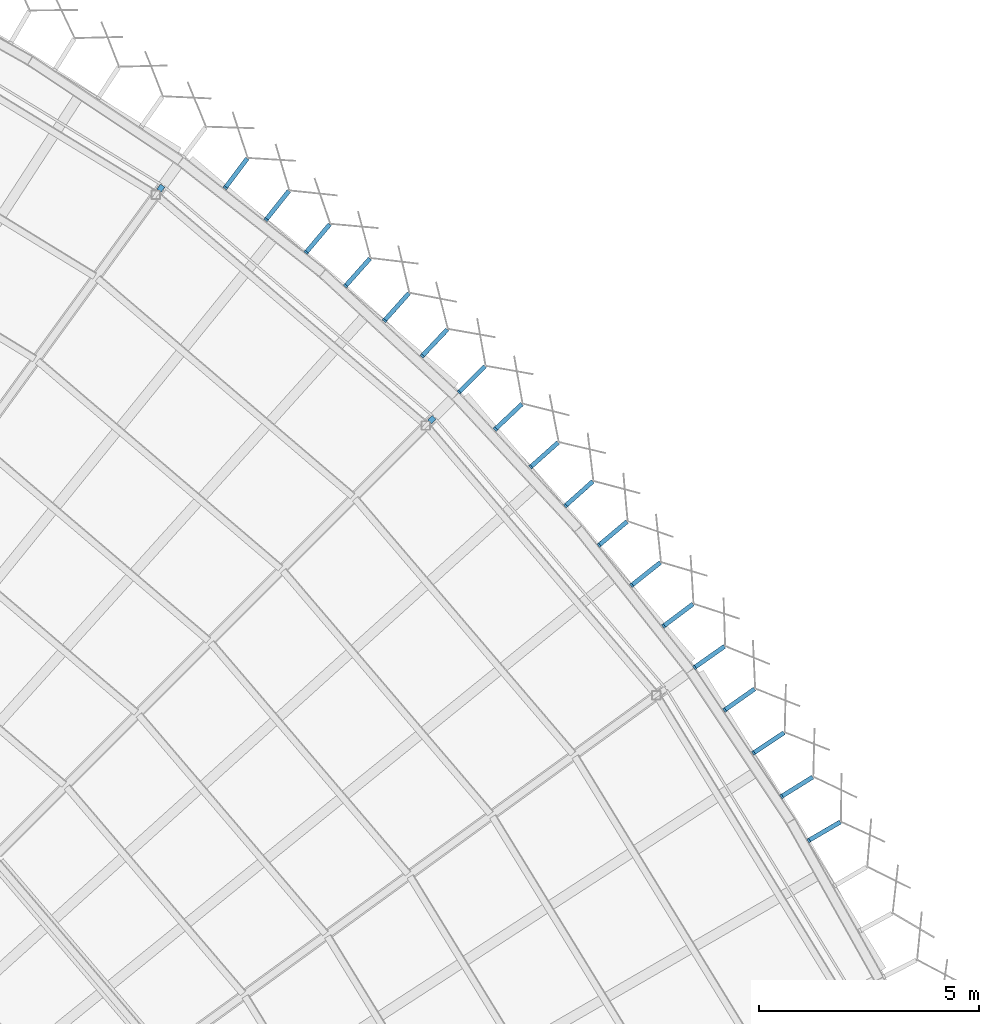
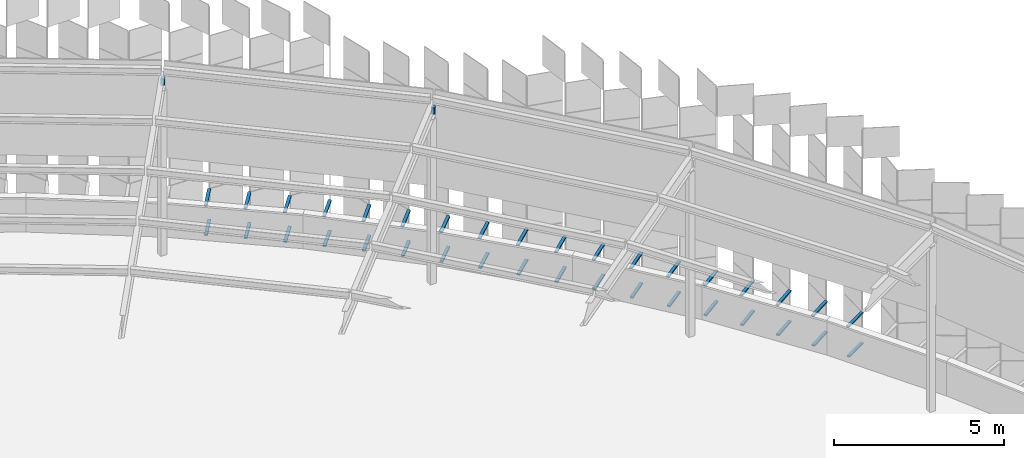
# One storey, part 451 of 483: 38 discrete accessories.
"""IFC4 building model written with IfcOpenShell, lengths in metres."""

from ifc_helpers import new_model, si_unit, direction, frame, origin, origin_2d, place, context, subcontext, project, spatial, rectangle, extrude, material, type_object, element, save


model = new_model("IFC4")

# Units and contexts
model_context = context("Model", 3, precision=1e-05, world=origin(), true_north=direction((0.0, 1.0)))
body_context = subcontext(model_context, "Body", "Model", "MODEL_VIEW")
ifc_project = project(units=[si_unit("LENGTHUNIT", "METRE"), si_unit("AREAUNIT", "SQUARE_METRE"), si_unit("VOLUMEUNIT", "CUBIC_METRE"), si_unit("PLANEANGLEUNIT", "RADIAN"), si_unit("MASSUNIT", "GRAM", prefix="KILO")], contexts=[model_context])

# Site, building, storey
site_placement = place(None, origin())
site = spatial("IfcSite", under=ifc_project, at=site_placement, CompositionType="ELEMENT")
building_placement = place(site_placement, origin())
building = spatial("IfcBuilding", under=site, at=building_placement, Name="Parallax Yard Mobility Hub", CompositionType="ELEMENT")
storey_placement = place(building_placement, frame((0.0, 0.0, 13.199951171875)))
storey = spatial("IfcBuildingStorey", under=building, at=storey_placement, Name="L04", CompositionType="ELEMENT", Elevation=13.199951171875)

# Discrete accessories
ifc_material = material(Name="Steel ASTM A36, hot-dip galvanised", Category="steel")
discrete_accessory_type_1 = type_object("IfcDiscreteAccessoryType", Name="Hinge bracket plate 100x50", PredefinedType="BRACKET", material=ifc_material)
discrete_accessory_1_placement = place(storey_placement, frame((217.913330078125, 117.1318359375, -0.02490234375), z_axis=(0.0, 0.0, 1.0), x_axis=(0.863635847332, 0.504116180263, 0.0)))
element("IfcDiscreteAccessory", 1, at=discrete_accessory_1_placement, inside=storey, type_object=discrete_accessory_type_1, Name="Hinge bracket plate bay 44.4 level L04", PredefinedType="BRACKET", context=body_context, shape_type="SweptSolid", body=[
    extrude(rectangle(XDim=0.80810546875, YDim=0.10009765625, at=origin_2d()), origin(), (0.0, 0.0, 1.0), 0.050048828125),
])
discrete_accessory_2_placement = place(storey_placement, frame((217.893310546875, 117.120361328125, 1.06982421875), z_axis=(0.0, 0.0, 1.0), x_axis=(0.863635847332, 0.504116180263, 0.0)))
element("IfcDiscreteAccessory", 2, at=discrete_accessory_2_placement, inside=storey, type_object=discrete_accessory_type_1, Name="Hinge bracket plate bay 44.4 level L04", PredefinedType="BRACKET", context=body_context, shape_type="SweptSolid", body=[
    extrude(rectangle(XDim=0.85400390625, YDim=0.10009765625, at=origin_2d()), origin(), (0.0, 0.0, 1.0), 0.050048828125),
])
discrete_accessory_3_placement = place(storey_placement, frame((217.290771484375, 118.143310546875, -0.02490234375), z_axis=(0.0, 0.0, 1.0), x_axis=(0.848887747723, 0.528573165953, 0.0)))
element("IfcDiscreteAccessory", 3, at=discrete_accessory_3_placement, inside=storey, type_object=discrete_accessory_type_1, Name="Hinge bracket plate bay 44.5 level L04", PredefinedType="BRACKET", context=body_context, shape_type="SweptSolid", body=[
    extrude(rectangle(XDim=0.80810546875, YDim=0.10009765625, at=origin_2d()), origin(), (0.0, 0.0, 1.0), 0.050048828125),
])
discrete_accessory_4_placement = place(storey_placement, frame((217.271240234375, 118.131103515625, 1.06982421875), z_axis=(0.0, 0.0, 1.0), x_axis=(0.848887747723, 0.528573165953, 0.0)))
element("IfcDiscreteAccessory", 4, at=discrete_accessory_4_placement, inside=storey, type_object=discrete_accessory_type_1, Name="Hinge bracket plate bay 44.5 level L04", PredefinedType="BRACKET", context=body_context, shape_type="SweptSolid", body=[
    extrude(rectangle(XDim=0.85400390625, YDim=0.10009765625, at=origin_2d()), origin(), (0.0, 0.0, 1.0), 0.050048828125),
])
discrete_accessory_5_placement = place(storey_placement, frame((216.6474609375, 119.1416015625, -0.02490234375), z_axis=(0.0, 0.0, 1.0), x_axis=(0.833447252321, 0.552599020627, 0.0)))
element("IfcDiscreteAccessory", 5, at=discrete_accessory_5_placement, inside=storey, type_object=discrete_accessory_type_1, Name="Hinge bracket plate bay 44.6 level L04", PredefinedType="BRACKET", context=body_context, shape_type="SweptSolid", body=[
    extrude(rectangle(XDim=0.80810546875, YDim=0.10009765625, at=origin_2d()), origin(), (0.0, 0.0, 1.0), 0.050048828125),
])
discrete_accessory_6_placement = place(storey_placement, frame((216.62841796875, 119.12890625, 1.06982421875), z_axis=(0.0, 0.0, 1.0), x_axis=(0.833447252321, 0.552599020627, 0.0)))
element("IfcDiscreteAccessory", 6, at=discrete_accessory_6_placement, inside=storey, type_object=discrete_accessory_type_1, Name="Hinge bracket plate bay 44.6 level L04", PredefinedType="BRACKET", context=body_context, shape_type="SweptSolid", body=[
    extrude(rectangle(XDim=0.85400390625, YDim=0.10009765625, at=origin_2d()), origin(), (0.0, 0.0, 1.0), 0.050048828125),
])
discrete_accessory_7_placement = place(storey_placement, frame((215.9833984375, 120.126220703125, -0.02490234375), z_axis=(0.0, 0.0, 1.0), x_axis=(0.817327960788, 0.576172721078, 0.0)))
element("IfcDiscreteAccessory", 7, at=discrete_accessory_7_placement, inside=storey, type_object=discrete_accessory_type_1, Name="Hinge bracket plate bay 44.7 level L04", PredefinedType="BRACKET", context=body_context, shape_type="SweptSolid", body=[
    extrude(rectangle(XDim=0.80810546875, YDim=0.10009765625, at=origin_2d()), origin(), (0.0, 0.0, 1.0), 0.050048828125),
])
discrete_accessory_8_placement = place(storey_placement, frame((215.964599609375, 120.11279296875, 1.06982421875), z_axis=(0.0, 0.0, 1.0), x_axis=(0.817327960788, 0.576172721078, 0.0)))
element("IfcDiscreteAccessory", 8, at=discrete_accessory_8_placement, inside=storey, type_object=discrete_accessory_type_1, Name="Hinge bracket plate bay 44.7 level L04", PredefinedType="BRACKET", context=body_context, shape_type="SweptSolid", body=[
    extrude(rectangle(XDim=0.85400390625, YDim=0.10009765625, at=origin_2d()), origin(), (0.0, 0.0, 1.0), 0.050048828125),
])
discrete_accessory_9_placement = place(storey_placement, frame((215.30078125, 121.094482421875, -0.02490234375), z_axis=(0.0, 0.0, 1.0), x_axis=(0.817327960788, 0.576172721078, 0.0)))
element("IfcDiscreteAccessory", 9, at=discrete_accessory_9_placement, inside=storey, type_object=discrete_accessory_type_1, Name="Hinge bracket plate bay 45.1 level L04", PredefinedType="BRACKET", context=body_context, shape_type="SweptSolid", body=[
    extrude(rectangle(XDim=0.80810546875, YDim=0.10009765625, at=origin_2d()), origin(), (0.0, 0.0, 1.0), 0.050048828125),
])
discrete_accessory_10_placement = place(storey_placement, frame((215.281982421875, 121.081298828125, 1.06982421875), z_axis=(0.0, 0.0, 1.0), x_axis=(0.817327960788, 0.576172721078, 0.0)))
element("IfcDiscreteAccessory", 10, at=discrete_accessory_10_placement, inside=storey, type_object=discrete_accessory_type_1, Name="Hinge bracket plate bay 45.1 level L04", PredefinedType="BRACKET", context=body_context, shape_type="SweptSolid", body=[
    extrude(rectangle(XDim=0.85400390625, YDim=0.10009765625, at=origin_2d()), origin(), (0.0, 0.0, 1.0), 0.050048828125),
])
discrete_accessory_11_placement = place(storey_placement, frame((214.589111328125, 122.04541015625, -0.02490234375), z_axis=(0.0, 0.0, 1.0), x_axis=(0.800541050754, 0.599277920549, 0.0)))
element("IfcDiscreteAccessory", 11, at=discrete_accessory_11_placement, inside=storey, type_object=discrete_accessory_type_1, Name="Hinge bracket plate bay 45.2 level L04", PredefinedType="BRACKET", context=body_context, shape_type="SweptSolid", body=[
    extrude(rectangle(XDim=0.80810546875, YDim=0.10009765625, at=origin_2d()), origin(), (0.0, 0.0, 1.0), 0.050048828125),
])
discrete_accessory_12_placement = place(storey_placement, frame((214.57080078125, 122.031494140625, 1.06982421875), z_axis=(0.0, 0.0, 1.0), x_axis=(0.800541050754, 0.599277920549, 0.0)))
element("IfcDiscreteAccessory", 12, at=discrete_accessory_12_placement, inside=storey, type_object=discrete_accessory_type_1, Name="Hinge bracket plate bay 45.2 level L04", PredefinedType="BRACKET", context=body_context, shape_type="SweptSolid", body=[
    extrude(rectangle(XDim=0.85400390625, YDim=0.10009765625, at=origin_2d()), origin(), (0.0, 0.0, 1.0), 0.050048828125),
])
discrete_accessory_13_placement = place(storey_placement, frame((213.857666015625, 122.981201171875, -0.02490234375), z_axis=(0.0, 0.0, 1.0), x_axis=(0.783102264348, 0.62189295186, 0.0)))
element("IfcDiscreteAccessory", 13, at=discrete_accessory_13_placement, inside=storey, type_object=discrete_accessory_type_1, Name="Hinge bracket plate bay 45.3 level L04", PredefinedType="BRACKET", context=body_context, shape_type="SweptSolid", body=[
    extrude(rectangle(XDim=0.80810546875, YDim=0.10009765625, at=origin_2d()), origin(), (0.0, 0.0, 1.0), 0.050048828125),
])
discrete_accessory_14_placement = place(storey_placement, frame((213.839599609375, 122.966796875, 1.06982421875), z_axis=(0.0, 0.0, 1.0), x_axis=(0.783102264348, 0.62189295186, 0.0)))
element("IfcDiscreteAccessory", 14, at=discrete_accessory_14_placement, inside=storey, type_object=discrete_accessory_type_1, Name="Hinge bracket plate bay 45.3 level L04", PredefinedType="BRACKET", context=body_context, shape_type="SweptSolid", body=[
    extrude(rectangle(XDim=0.85400390625, YDim=0.10009765625, at=origin_2d()), origin(), (0.0, 0.0, 1.0), 0.050048828125),
])
discrete_accessory_15_placement = place(storey_placement, frame((213.107177734375, 123.901611328125, -0.02490234375), z_axis=(0.0, 0.0, 1.0), x_axis=(0.765023694181, 0.644002133025, 0.0)))
element("IfcDiscreteAccessory", 15, at=discrete_accessory_15_placement, inside=storey, type_object=discrete_accessory_type_1, Name="Hinge bracket plate bay 45.4 level L04", PredefinedType="BRACKET", context=body_context, shape_type="SweptSolid", body=[
    extrude(rectangle(XDim=0.80810546875, YDim=0.10009765625, at=origin_2d()), origin(), (0.0, 0.0, 1.0), 0.050048828125),
])
discrete_accessory_16_placement = place(storey_placement, frame((213.089599609375, 123.886962890625, 1.06982421875), z_axis=(0.0, 0.0, 1.0), x_axis=(0.765023694181, 0.644002133025, 0.0)))
element("IfcDiscreteAccessory", 16, at=discrete_accessory_16_placement, inside=storey, type_object=discrete_accessory_type_1, Name="Hinge bracket plate bay 45.4 level L04", PredefinedType="BRACKET", context=body_context, shape_type="SweptSolid", body=[
    extrude(rectangle(XDim=0.85400390625, YDim=0.10009765625, at=origin_2d()), origin(), (0.0, 0.0, 1.0), 0.050048828125),
])
discrete_accessory_17_placement = place(storey_placement, frame((212.33740234375, 124.806396484375, -0.02490234375), z_axis=(0.0, 0.0, 1.0), x_axis=(0.746321131986, 0.66558603347, 0.0)))
element("IfcDiscreteAccessory", 17, at=discrete_accessory_17_placement, inside=storey, type_object=discrete_accessory_type_1, Name="Hinge bracket plate bay 45.5 level L04", PredefinedType="BRACKET", context=body_context, shape_type="SweptSolid", body=[
    extrude(rectangle(XDim=0.80810546875, YDim=0.10009765625, at=origin_2d()), origin(), (0.0, 0.0, 1.0), 0.050048828125),
])
discrete_accessory_18_placement = place(storey_placement, frame((212.3203125, 124.791015625, 1.06982421875), z_axis=(0.0, 0.0, 1.0), x_axis=(0.746321131986, 0.66558603347, 0.0)))
element("IfcDiscreteAccessory", 18, at=discrete_accessory_18_placement, inside=storey, type_object=discrete_accessory_type_1, Name="Hinge bracket plate bay 45.5 level L04", PredefinedType="BRACKET", context=body_context, shape_type="SweptSolid", body=[
    extrude(rectangle(XDim=0.85400390625, YDim=0.10009765625, at=origin_2d()), origin(), (0.0, 0.0, 1.0), 0.050048828125),
])
discrete_accessory_19_placement = place(storey_placement, frame((211.548828125, 125.690673828125, -0.02490234375), z_axis=(0.0, 0.0, 1.0), x_axis=(0.746321131986, 0.66558603347, 0.0)))
element("IfcDiscreteAccessory", 19, at=discrete_accessory_19_placement, inside=storey, type_object=discrete_accessory_type_1, Name="Hinge bracket plate bay 45.6 level L04", PredefinedType="BRACKET", context=body_context, shape_type="SweptSolid", body=[
    extrude(rectangle(XDim=0.80810546875, YDim=0.10009765625, at=origin_2d()), origin(), (0.0, 0.0, 1.0), 0.050048828125),
])
discrete_accessory_20_placement = place(storey_placement, frame((211.531494140625, 125.67529296875, 1.06982421875), z_axis=(0.0, 0.0, 1.0), x_axis=(0.746321131986, 0.66558603347, 0.0)))
element("IfcDiscreteAccessory", 20, at=discrete_accessory_20_placement, inside=storey, type_object=discrete_accessory_type_1, Name="Hinge bracket plate bay 45.6 level L04", PredefinedType="BRACKET", context=body_context, shape_type="SweptSolid", body=[
    extrude(rectangle(XDim=0.85400390625, YDim=0.10009765625, at=origin_2d()), origin(), (0.0, 0.0, 1.0), 0.050048828125),
])
discrete_accessory_21_placement = place(storey_placement, frame((210.735595703125, 126.556396484375, -0.02490234375), z_axis=(0.0, 0.0, 1.0), x_axis=(0.727011030908, 0.686625779401, 0.0)))
element("IfcDiscreteAccessory", 21, at=discrete_accessory_21_placement, inside=storey, type_object=discrete_accessory_type_1, Name="Hinge bracket plate bay 45.7 level L04", PredefinedType="BRACKET", context=body_context, shape_type="SweptSolid", body=[
    extrude(rectangle(XDim=0.80810546875, YDim=0.10009765625, at=origin_2d()), origin(), (0.0, 0.0, 1.0), 0.050048828125),
])
discrete_accessory_22_placement = place(storey_placement, frame((210.71875, 126.54052734375, 1.06982421875), z_axis=(0.0, 0.0, 1.0), x_axis=(0.727011030908, 0.686625779401, 0.0)))
element("IfcDiscreteAccessory", 22, at=discrete_accessory_22_placement, inside=storey, type_object=discrete_accessory_type_1, Name="Hinge bracket plate bay 45.7 level L04", PredefinedType="BRACKET", context=body_context, shape_type="SweptSolid", body=[
    extrude(rectangle(XDim=0.85400390625, YDim=0.10009765625, at=origin_2d()), origin(), (0.0, 0.0, 1.0), 0.050048828125),
])
discrete_accessory_23_placement = place(storey_placement, frame((209.904296875, 127.40478515625, -0.02490234375), z_axis=(0.0, 0.0, 1.0), x_axis=(0.707106781187, 0.707106781187, 0.0)))
element("IfcDiscreteAccessory", 23, at=discrete_accessory_23_placement, inside=storey, type_object=discrete_accessory_type_1, Name="Hinge bracket plate bay 46.1 level L04", PredefinedType="BRACKET", context=body_context, shape_type="SweptSolid", body=[
    extrude(rectangle(XDim=0.80810546875, YDim=0.10009765625, at=origin_2d()), origin(), (0.0, 0.0, 1.0), 0.050048828125),
])
discrete_accessory_24_placement = place(storey_placement, frame((209.88818359375, 127.388671875, 1.06982421875), z_axis=(0.0, 0.0, 1.0), x_axis=(0.707106781187, 0.707106781187, 0.0)))
element("IfcDiscreteAccessory", 24, at=discrete_accessory_24_placement, inside=storey, type_object=discrete_accessory_type_1, Name="Hinge bracket plate bay 46.1 level L04", PredefinedType="BRACKET", context=body_context, shape_type="SweptSolid", body=[
    extrude(rectangle(XDim=0.85400390625, YDim=0.10009765625, at=origin_2d()), origin(), (0.0, 0.0, 1.0), 0.050048828125),
])
discrete_accessory_25_placement = place(storey_placement, frame((209.055908203125, 128.23583984375, -0.02490234375), z_axis=(0.0, 0.0, 1.0), x_axis=(0.686625779401, 0.727011030908, 0.0)))
element("IfcDiscreteAccessory", 25, at=discrete_accessory_25_placement, inside=storey, type_object=discrete_accessory_type_1, Name="Hinge bracket plate bay 46.2 level L04", PredefinedType="BRACKET", context=body_context, shape_type="SweptSolid", body=[
    extrude(rectangle(XDim=0.80810546875, YDim=0.10009765625, at=origin_2d()), origin(), (0.0, 0.0, 1.0), 0.050048828125),
])
discrete_accessory_26_placement = place(storey_placement, frame((209.040283203125, 128.218994140625, 1.06982421875), z_axis=(0.0, 0.0, 1.0), x_axis=(0.686625779401, 0.727011030908, 0.0)))
element("IfcDiscreteAccessory", 26, at=discrete_accessory_26_placement, inside=storey, type_object=discrete_accessory_type_1, Name="Hinge bracket plate bay 46.2 level L04", PredefinedType="BRACKET", context=body_context, shape_type="SweptSolid", body=[
    extrude(rectangle(XDim=0.85400390625, YDim=0.10009765625, at=origin_2d()), origin(), (0.0, 0.0, 1.0), 0.050048828125),
])
discrete_accessory_27_placement = place(storey_placement, frame((208.1904296875, 129.049072265625, -0.02490234375), z_axis=(0.0, 0.0, 1.0), x_axis=(0.66558603347, 0.746321131986, 0.0)))
element("IfcDiscreteAccessory", 27, at=discrete_accessory_27_placement, inside=storey, type_object=discrete_accessory_type_1, Name="Hinge bracket plate bay 46.3 level L04", PredefinedType="BRACKET", context=body_context, shape_type="SweptSolid", body=[
    extrude(rectangle(XDim=0.80810546875, YDim=0.10009765625, at=origin_2d()), origin(), (0.0, 0.0, 1.0), 0.050048828125),
])
discrete_accessory_28_placement = place(storey_placement, frame((208.175048828125, 129.03173828125, 1.06982421875), z_axis=(0.0, 0.0, 1.0), x_axis=(0.66558603347, 0.746321131986, 0.0)))
element("IfcDiscreteAccessory", 28, at=discrete_accessory_28_placement, inside=storey, type_object=discrete_accessory_type_1, Name="Hinge bracket plate bay 46.3 level L04", PredefinedType="BRACKET", context=body_context, shape_type="SweptSolid", body=[
    extrude(rectangle(XDim=0.85400390625, YDim=0.10009765625, at=origin_2d()), origin(), (0.0, 0.0, 1.0), 0.050048828125),
])
discrete_accessory_29_placement = place(storey_placement, frame((207.30615234375, 129.83740234375, -0.02490234375), z_axis=(0.0, 0.0, 1.0), x_axis=(0.66558603347, 0.746321131986, 0.0)))
element("IfcDiscreteAccessory", 29, at=discrete_accessory_29_placement, inside=storey, type_object=discrete_accessory_type_1, Name="Hinge bracket plate bay 46.4 level L04", PredefinedType="BRACKET", context=body_context, shape_type="SweptSolid", body=[
    extrude(rectangle(XDim=0.80810546875, YDim=0.10009765625, at=origin_2d()), origin(), (0.0, 0.0, 1.0), 0.050048828125),
])
discrete_accessory_30_placement = place(storey_placement, frame((207.291015625, 129.8203125, 1.06982421875), z_axis=(0.0, 0.0, 1.0), x_axis=(0.66558603347, 0.746321131986, 0.0)))
element("IfcDiscreteAccessory", 30, at=discrete_accessory_30_placement, inside=storey, type_object=discrete_accessory_type_1, Name="Hinge bracket plate bay 46.4 level L04", PredefinedType="BRACKET", context=body_context, shape_type="SweptSolid", body=[
    extrude(rectangle(XDim=0.85400390625, YDim=0.10009765625, at=origin_2d()), origin(), (0.0, 0.0, 1.0), 0.050048828125),
])
discrete_accessory_31_placement = place(storey_placement, frame((206.401611328125, 130.607177734375, -0.02490234375), z_axis=(0.0, 0.0, 1.0), x_axis=(0.644002133025, 0.765023694181, 0.0)))
element("IfcDiscreteAccessory", 31, at=discrete_accessory_31_placement, inside=storey, type_object=discrete_accessory_type_1, Name="Hinge bracket plate bay 46.5 level L04", PredefinedType="BRACKET", context=body_context, shape_type="SweptSolid", body=[
    extrude(rectangle(XDim=0.80810546875, YDim=0.10009765625, at=origin_2d()), origin(), (0.0, 0.0, 1.0), 0.050048828125),
])
discrete_accessory_32_placement = place(storey_placement, frame((206.386962890625, 130.589599609375, 1.06982421875), z_axis=(0.0, 0.0, 1.0), x_axis=(0.644002133025, 0.765023694181, 0.0)))
element("IfcDiscreteAccessory", 32, at=discrete_accessory_32_placement, inside=storey, type_object=discrete_accessory_type_1, Name="Hinge bracket plate bay 46.5 level L04", PredefinedType="BRACKET", context=body_context, shape_type="SweptSolid", body=[
    extrude(rectangle(XDim=0.85400390625, YDim=0.10009765625, at=origin_2d()), origin(), (0.0, 0.0, 1.0), 0.050048828125),
])
discrete_accessory_33_placement = place(storey_placement, frame((205.4814453125, 131.357666015625, -0.02490234375), z_axis=(0.0, 0.0, 1.0), x_axis=(0.62189295186, 0.783102264348, 0.0)))
element("IfcDiscreteAccessory", 33, at=discrete_accessory_33_placement, inside=storey, type_object=discrete_accessory_type_1, Name="Hinge bracket plate bay 46.6 level L04", PredefinedType="BRACKET", context=body_context, shape_type="SweptSolid", body=[
    extrude(rectangle(XDim=0.80810546875, YDim=0.10009765625, at=origin_2d()), origin(), (0.0, 0.0, 1.0), 0.050048828125),
])
discrete_accessory_34_placement = place(storey_placement, frame((205.467041015625, 131.339599609375, 1.06982421875), z_axis=(0.0, 0.0, 1.0), x_axis=(0.62189295186, 0.783102264348, 0.0)))
element("IfcDiscreteAccessory", 34, at=discrete_accessory_34_placement, inside=storey, type_object=discrete_accessory_type_1, Name="Hinge bracket plate bay 46.6 level L04", PredefinedType="BRACKET", context=body_context, shape_type="SweptSolid", body=[
    extrude(rectangle(XDim=0.85400390625, YDim=0.10009765625, at=origin_2d()), origin(), (0.0, 0.0, 1.0), 0.050048828125),
])
discrete_accessory_35_placement = place(storey_placement, frame((204.545654296875, 132.0888671875, -0.02490234375), z_axis=(0.0, 0.0, 1.0), x_axis=(0.599277920549, 0.800541050754, 0.0)))
element("IfcDiscreteAccessory", 35, at=discrete_accessory_35_placement, inside=storey, type_object=discrete_accessory_type_1, Name="Hinge bracket plate bay 46.7 level L04", PredefinedType="BRACKET", context=body_context, shape_type="SweptSolid", body=[
    extrude(rectangle(XDim=0.80810546875, YDim=0.10009765625, at=origin_2d()), origin(), (0.0, 0.0, 1.0), 0.050048828125),
])
discrete_accessory_36_placement = place(storey_placement, frame((204.53173828125, 132.070556640625, 1.06982421875), z_axis=(0.0, 0.0, 1.0), x_axis=(0.599277920549, 0.800541050754, 0.0)))
element("IfcDiscreteAccessory", 36, at=discrete_accessory_36_placement, inside=storey, type_object=discrete_accessory_type_1, Name="Hinge bracket plate bay 46.7 level L04", PredefinedType="BRACKET", context=body_context, shape_type="SweptSolid", body=[
    extrude(rectangle(XDim=0.85400390625, YDim=0.10009765625, at=origin_2d()), origin(), (0.0, 0.0, 1.0), 0.050048828125),
])
discrete_accessory_type_2 = type_object("IfcDiscreteAccessoryType", Name="Valance bracket plate", PredefinedType="BRACKET", material=ifc_material)
for number, where, z_axis, x_axis, name in (
    (37, (202.82373046875, 131.7373046875, 5.961181640625), (0.0, 0.0, 1.0), (0.587785252292, 0.809016994375, 0.0), "Valance bracket plate R4"),
    (38, (208.9794921875, 126.4794921875, 5.961181640625), (0.0, 0.0, 1.0), (0.707106781187, 0.707106781187, 0.0), "Valance bracket plate R5"),
):
    element("IfcDiscreteAccessory", number, at=place(storey_placement, frame(where, z_axis=z_axis, x_axis=x_axis)), inside=storey, type_object=discrete_accessory_type_2, Name=name, PredefinedType="BRACKET", context=body_context, shape_type="SweptSolid", body=[
        extrude(rectangle(XDim=0.139892578125, YDim=0.1201171875, at=origin_2d()), origin(), (0.0, 0.0, 1.0), 0.22998046875),
    ])

save(model, "model.ifc")
